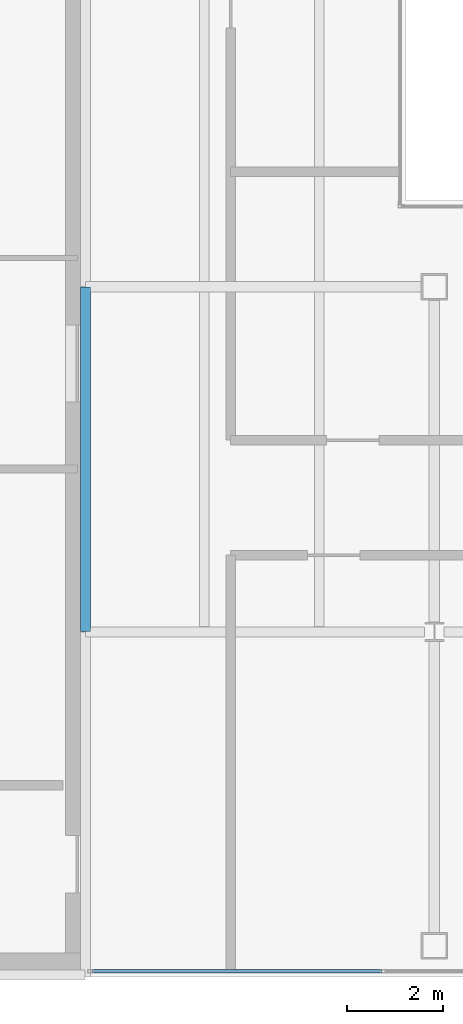
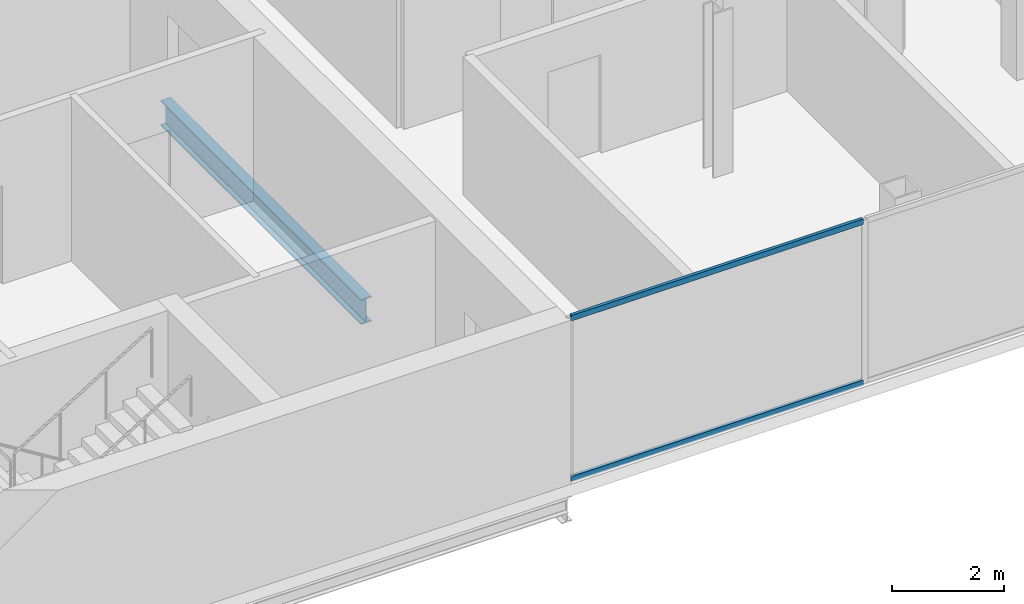
# One storey, part 3 of 15: 2 members, 1 beam, 1 element without a shape of its own.
"""IFC4 building model written with IfcOpenShell, lengths in metres."""

import ifcopenshell
import ifcopenshell.guid

model = None  # the IFC model being written
_history = None  # IfcOwnerHistory: only IFC2X3 demands one
_inside = {}  # id of a spatial element -> (the spatial element, [elements in it])
_under = {}  # id of a project, library or spatial element -> (it, [spatial elements below it])
_declared = {}  # id of a project -> (the project, [libraries it declares])
_typed = {}  # id of a type object -> (the type object, [elements of that type])
_made_of = {}  # id of a material, layer set ... -> (it, [elements and type objects made of it])


def new_model(schema):
    """Start an empty IFC model of exactly this schema.

    Asked for "IFC4X3", IfcOpenShell would pick the latest addendum, in which some entities
    have other attributes; the version numbers below select the first issue.
    IFC2X3 requires an IfcOwnerHistory on every rooted entity: one is made here for all.
    """
    global model, _history
    if schema == "IFC4X3":
        model = ifcopenshell.file(schema_version=(4, 3, 0, 0))
    else:
        model = ifcopenshell.file(schema=schema)
    _inside.clear()
    _under.clear()
    _declared.clear()
    _typed.clear()
    _made_of.clear()
    _history = None
    if model.schema == "IFC2X3":
        org = make("IfcOrganization", Name="unknown")
        user = make(
            "IfcPersonAndOrganization",
            ThePerson=make("IfcPerson", FamilyName="unknown"),
            TheOrganization=org,
        )
        app = make(
            "IfcApplication",
            ApplicationDeveloper=org,
            Version="unknown",
            ApplicationFullName="unknown",
            ApplicationIdentifier="unknown",
        )
        _history = make(
            "IfcOwnerHistory",
            OwningUser=user,
            OwningApplication=app,
            ChangeAction="ADDED",
            CreationDate=0,
        )
    return model


def make(cls, **values):
    """One entity of the class cls with the attributes given. An attribute that is None is left unset."""
    return model.create_entity(
        cls, **{name: value for name, value in values.items() if value is not None}
    )


def rooted(cls, **values):
    """An entity with a GlobalId (a new one), such as an element, a storey or a relation."""
    return make(cls, GlobalId=ifcopenshell.guid.new(), OwnerHistory=_history, **values)


def si_unit(unit_type, name, prefix=None):
    """IfcSIUnit, for example si_unit("LENGTHUNIT", "METRE", prefix="MILLI")."""
    return make("IfcSIUnit", UnitType=unit_type, Prefix=prefix, Name=name)


def assignment(units):
    """IfcUnitAssignment: the units of a project."""
    return None if units is None else make("IfcUnitAssignment", Units=units)


def point(xyz):
    """IfcCartesianPoint."""
    return None if xyz is None else make("IfcCartesianPoint", Coordinates=xyz)


def direction(xyz):
    """IfcDirection."""
    return None if xyz is None else make("IfcDirection", DirectionRatios=xyz)


def frame(location, z_axis=None, x_axis=None):
    """IfcAxis2Placement3D, a coordinate frame: its origin and axes. An axis left out is left unset."""
    return make(
        "IfcAxis2Placement3D",
        Location=point(location),
        Axis=direction(z_axis),
        RefDirection=direction(x_axis),
    )


def frame_2d(location, x_axis=None):
    """IfcAxis2Placement2D, a coordinate frame in the plane: its origin and x axis."""
    return make(
        "IfcAxis2Placement2D", Location=point(location), RefDirection=direction(x_axis)
    )


def origin():
    """The frame at (0, 0, 0) with its axes left unset."""
    return frame((0.0, 0.0, 0.0))


def origin_2d():
    """The frame at (0, 0) in the plane with its x axis left unset."""
    return frame_2d((0.0, 0.0))


def place(relative_to, where):
    """IfcLocalPlacement: puts the frame where relative to a parent placement (None: the world)."""
    return make(
        "IfcLocalPlacement", PlacementRelTo=relative_to, RelativePlacement=where
    )


def context(
    kind, dimensions, precision=None, world=None, true_north=None, identifier=None
):
    """IfcGeometricRepresentationContext, for example the 3D "Model" context."""
    return make(
        "IfcGeometricRepresentationContext",
        ContextIdentifier=identifier,
        ContextType=kind,
        CoordinateSpaceDimension=dimensions,
        Precision=precision,
        WorldCoordinateSystem=world,
        TrueNorth=true_north,
    )


def subcontext(parent, identifier, kind, view, scale=None):
    """IfcGeometricRepresentationSubContext, for example "Body" below "Model"."""
    return make(
        "IfcGeometricRepresentationSubContext",
        ContextIdentifier=identifier,
        ContextType=kind,
        ParentContext=parent,
        TargetScale=scale,
        TargetView=view,
    )


def project(units=None, contexts=None):
    """IfcProject with its units and contexts."""
    return rooted(
        "IfcProject",
        Name="project",
        RepresentationContexts=contexts,
        UnitsInContext=assignment(units),
    )


def spatial(cls, under=None, at=None, **own):
    """A site, building, storey or space (cls), placed at a placement, below another one or the project."""
    s = rooted(cls, ObjectPlacement=at, **own)
    if under is not None:
        _under.setdefault(under.id(), (under, []))[1].append(s)
    return s


def profile(cls, at=None, kind="AREA", **sizes):
    """A parametric profile (cls). Its sizes go by their IFC names, for example OverallWidth=200.0."""
    return make(cls, ProfileType=kind, Position=at, **sizes)


def hollow_rectangle(**sizes):
    """IfcRectangleHollowProfileDef."""
    return profile("IfcRectangleHollowProfileDef", **sizes)


def i_section(**sizes):
    """IfcIShapeProfileDef."""
    return profile("IfcIShapeProfileDef", **sizes)


def extrude(swept, where, along, depth):
    """IfcExtrudedAreaSolid: the profile swept, set in the frame where, extruded along a direction by depth."""
    return make(
        "IfcExtrudedAreaSolid",
        SweptArea=swept,
        Position=where,
        ExtrudedDirection=direction(along),
        Depth=depth,
    )


def shape(context_of_items, identifier, shape_type, items):
    """IfcShapeRepresentation: the items that make up one representation, for example the "Body"."""
    return make(
        "IfcShapeRepresentation",
        ContextOfItems=context_of_items,
        RepresentationIdentifier=identifier,
        RepresentationType=shape_type,
        Items=items,
    )


def material(Name=None, Category=None):
    """IfcMaterial."""
    return make("IfcMaterial", Name=Name, Category=Category)


def material_profile(
    of_material, cross_section, Name=None, Category=None, Priority=None
):
    """IfcMaterialProfile: a cross section and its material."""
    return make(
        "IfcMaterialProfile",
        Name=Name,
        Material=of_material,
        Profile=cross_section,
        Priority=Priority,
        Category=Category,
    )


def profile_set(profiles, Name=None, composite=None):
    """IfcMaterialProfileSet."""
    return make(
        "IfcMaterialProfileSet",
        Name=Name,
        MaterialProfiles=profiles,
        CompositeProfile=composite,
    )


def made_of(thing, what):
    """Note that an element or type object is made of a material, layer set ...; save() writes the relation."""
    if what is not None:
        _made_of.setdefault(what.id(), (what, []))[1].append(thing)
    return thing


def type_object(cls, material=None, **own):
    """A type object (cls), such as IfcWallType, which elements share."""
    return made_of(rooted(cls, **own), material)


def element(
    cls,
    number,
    at=None,
    inside=None,
    cuts=None,
    type_object=None,
    material=None,
    context=None,
    identifier="Body",
    shape_type=None,
    held_by="IfcProductDefinitionShape",
    body=None,
    shapes=None,
    **own,
):
    """One element of the class cls, such as IfcWall. Its Tag is "e" and its number.

    at: its placement. inside: the storey or other place that contains it. cuts: it is an
    opening in that element (IfcRelVoidsElement). A single representation is given by context,
    identifier, shape_type and body (its items); several are given by shapes. held_by: the class
    of the entity that holds the representations. save() writes the other relations.
    """
    e = rooted(cls, Tag="e%d" % number, ObjectPlacement=at, **own)
    if body is not None:
        shapes = [shape(context, identifier, shape_type, body)]
    if shapes is not None:
        e.Representation = make(held_by, Representations=shapes)
    if inside is not None:
        _inside.setdefault(inside.id(), (inside, []))[1].append(e)
    if cuts is not None:
        rooted(
            "IfcRelVoidsElement", RelatingBuildingElement=cuts, RelatedOpeningElement=e
        )
    if type_object is not None:
        _typed.setdefault(type_object.id(), (type_object, []))[1].append(e)
    return made_of(e, material)


def aggregate(whole, parts):
    """IfcRelAggregates: a whole, such as a stair, and the parts it consists of."""
    return rooted("IfcRelAggregates", RelatingObject=whole, RelatedObjects=parts)


def save(model, path):
    """Write the relations noted so far, then the file.

    IfcRelAggregates (storeys below a building ...), IfcRelContainedInSpatialStructure (elements
    in a storey), IfcRelDefinesByType, IfcRelAssociatesMaterial and IfcRelDeclares: one each for
    every whole, place, type object, material and project.
    """
    for whole, parts in _under.values():
        aggregate(whole, parts)
    for where, things in _inside.values():
        rooted(
            "IfcRelContainedInSpatialStructure",
            RelatedElements=things,
            RelatingStructure=where,
        )
    for kind, things in _typed.values():
        rooted("IfcRelDefinesByType", RelatedObjects=things, RelatingType=kind)
    for what, things in _made_of.values():
        rooted("IfcRelAssociatesMaterial", RelatedObjects=things, RelatingMaterial=what)
    for by, libraries in _declared.values():
        rooted("IfcRelDeclares", RelatingContext=by, RelatedDefinitions=libraries)
    model.write(path)


model = new_model("IFC4")

# Units and contexts
model_context = context("Model", 3, precision=1e-05, world=origin(), true_north=direction((0.0, 1.0)))
body_context = subcontext(model_context, "Body", "Model", "MODEL_VIEW")
ifc_project = project(units=[si_unit("LENGTHUNIT", "METRE"), si_unit("AREAUNIT", "SQUARE_METRE"), si_unit("VOLUMEUNIT", "CUBIC_METRE"), si_unit("PLANEANGLEUNIT", "RADIAN"), si_unit("MASSUNIT", "GRAM", prefix="KILO")], contexts=[model_context])

# Site, building, storey
site_placement = place(None, origin())
site = spatial("IfcSite", under=ifc_project, at=site_placement, CompositionType="ELEMENT")
building_placement = place(site_placement, origin())
building = spatial("IfcBuilding", under=site, at=building_placement, Name="Cobrela Telecom Tower", CompositionType="ELEMENT")
storey_placement = place(building_placement, frame((0.0, 0.0, 297.5)))
storey = spatial("IfcBuildingStorey", under=building, at=storey_placement, Name="L78", CompositionType="ELEMENT", Elevation=297.5)

# Beam
ifc_material_1 = material(Name="Steel ASTM A992 Grade 50", Category="steel")
ifc_material_profile_1 = material_profile(ifc_material_1, i_section(OverallWidth=0.212890625, OverallDepth=0.549072265625, WebThickness=0.0146484375, FlangeThickness=0.023681640625, FilletRadius=0.013916015625, at=origin_2d()), Name="W21X93")
ifc_profile_set_1 = profile_set([ifc_material_profile_1], Name="Steel ASTM A992 Grade 50")
beam_type = type_object("IfcBeamType", Name="BM-GIRD-08", PredefinedType="USERDEFINED", material=ifc_profile_set_1)
beam_placement = place(storey_placement, frame((14.320068359375, 14.405029296875, -0.534423828125), z_axis=(0.0, 1.0, 0.0), x_axis=(-1.0, 0.0, 0.0)))
element("IfcBeam", 1, at=beam_placement, inside=storey, type_object=beam_type, Name="L78 Primary Girder Y10", ObjectType="GIRDER", PredefinedType="USERDEFINED", context=body_context, shape_type="SweptSolid", body=[
    extrude(i_section(OverallWidth=0.212890625, OverallDepth=0.549072265625, WebThickness=0.0146484375, FlangeThickness=0.023681640625, FilletRadius=0.013916015625, at=origin_2d()), origin(), (0.0, 0.0, 1.0), 7.18994140625),
])

# Curtain wall, members
ifc_material_2 = material(Name="Anodized Bronze Aluminium 6063-T6", Category="aluminium")
curtain_wall_type = type_object("IfcCurtainWallType", Name="CW-SYS-DRUM", PredefinedType="USERDEFINED", material=ifc_material_2)
curtain_wall_placement = place(storey_placement, origin())
curtain_wall = element("IfcCurtainWall", 2, at=curtain_wall_placement, inside=storey, type_object=curtain_wall_type, Name="L78 Unitised Bronze Curtain Wall 11", ObjectType="UNITISED CURTAIN WALL", PredefinedType="USERDEFINED")
ifc_material_profile_2 = material_profile(ifc_material_2, hollow_rectangle(XDim=0.06494140625, YDim=0.1201171875, WallThickness=0.00390625, at=origin_2d()), Name="ALU 65x120x4")
ifc_profile_set_2 = profile_set([ifc_material_profile_2], Name="Anodized Bronze Aluminium 6063-T6")
member_type = type_object("IfcMemberType", Name="CW-SYS-DRUM-TRN", PredefinedType="USERDEFINED", material=ifc_profile_set_2)
member_1_placement = place(storey_placement, frame((20.507568359375, 7.320068359375, 0.032470703125), z_axis=(-1.0, 0.0, 0.0), x_axis=(0.0, -1.0, 0.0)))
member_1 = element("IfcMember", 3, at=member_1_placement, type_object=member_type, Name="CW-DRUM transom 2.1", ObjectType="TRANSOM", PredefinedType="USERDEFINED", context=body_context, shape_type="SweptSolid", body=[
    extrude(hollow_rectangle(XDim=0.06494140625, YDim=0.1201171875, WallThickness=0.00390625, at=origin_2d()), origin(), (0.0, 0.0, 1.0), 6.04248046875),
])
member_2_placement = place(storey_placement, frame((20.507568359375, 7.320068359375, 3.5576171875), z_axis=(-1.0, 0.0, 0.0), x_axis=(0.0, -1.0, 0.0)))
member_2 = element("IfcMember", 4, at=member_2_placement, type_object=member_type, Name="CW-DRUM transom 2.2", ObjectType="TRANSOM", PredefinedType="USERDEFINED", context=body_context, shape_type="SweptSolid", body=[
    extrude(hollow_rectangle(XDim=0.06494140625, YDim=0.1201171875, WallThickness=0.00390625, at=origin_2d()), origin(), (0.0, 0.0, 1.0), 6.04248046875),
])
aggregate(curtain_wall, [member_1, member_2])

save(model, "model.ifc")
